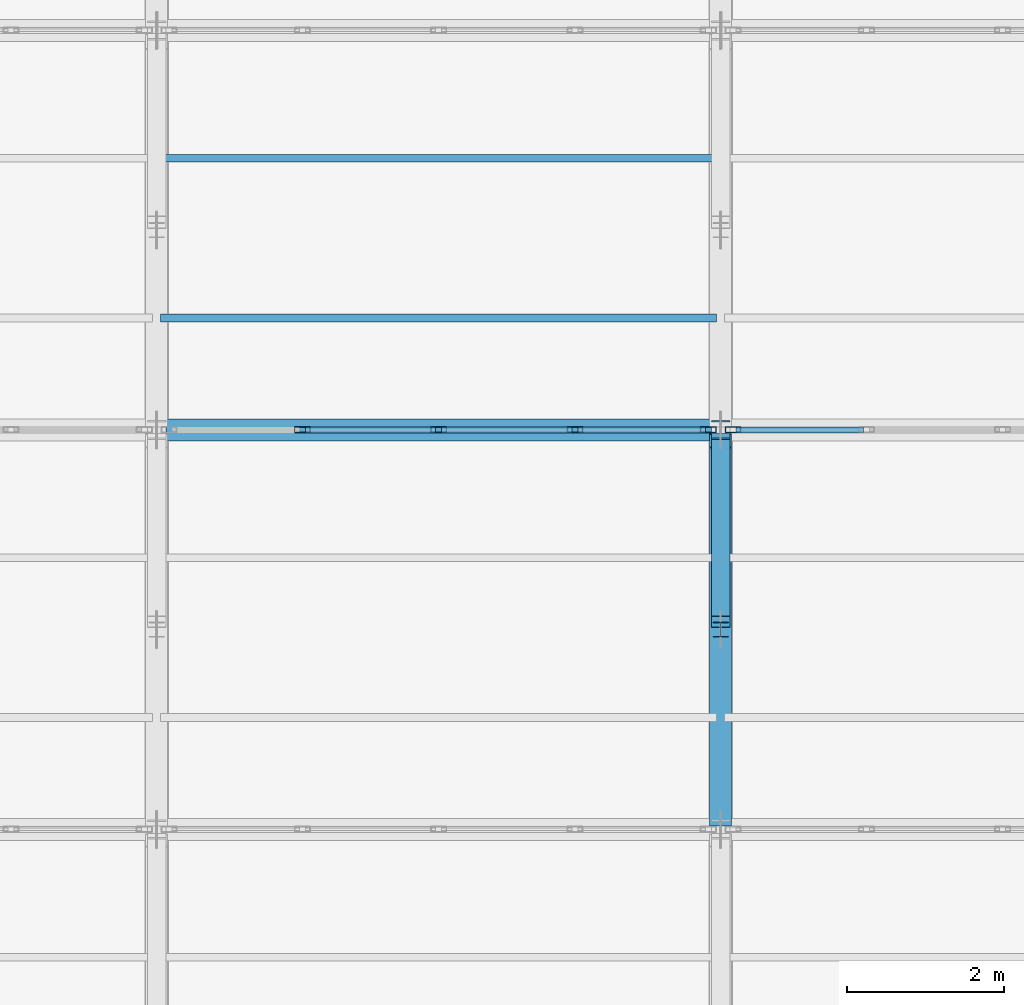
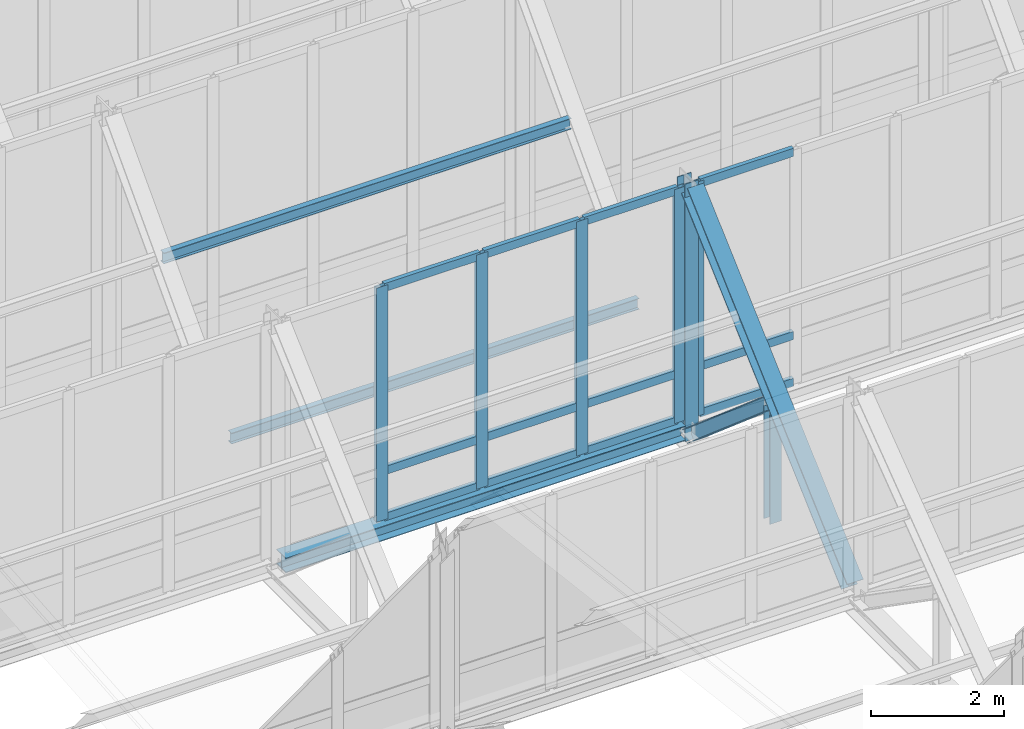
# One storey, part 59 of 157: 23 members, 1 beam, 2 elements without a shape of their own.
"""IFC4 building model written with IfcOpenShell, lengths in metres."""

from ifc_helpers import new_model, si_unit, direction, frame, origin, origin_2d, place, context, subcontext, project, spatial, hollow_rectangle, i_section, extrude, material, material_profile, profile_set, type_object, element, aggregate, save


model = new_model("IFC4")

# Units and contexts
model_context = context("Model", 3, precision=1e-05, world=origin(), true_north=direction((0.0, 1.0)))
body_context = subcontext(model_context, "Body", "Model", "MODEL_VIEW")
ifc_project = project(units=[si_unit("LENGTHUNIT", "METRE"), si_unit("AREAUNIT", "SQUARE_METRE"), si_unit("VOLUMEUNIT", "CUBIC_METRE"), si_unit("PLANEANGLEUNIT", "RADIAN"), si_unit("MASSUNIT", "GRAM", prefix="KILO")], contexts=[model_context])

# Site, building, storey
site_placement = place(None, origin())
site = spatial("IfcSite", under=ifc_project, at=site_placement, CompositionType="ELEMENT")
building_placement = place(site_placement, origin())
building = spatial("IfcBuilding", under=site, at=building_placement, Name="Suanplinth Sawtooth Commons", CompositionType="ELEMENT")
storey_placement = place(building_placement, frame((0.0, 0.0, 9.0)))
storey = spatial("IfcBuildingStorey", under=building, at=storey_placement, Name="L02", CompositionType="ELEMENT", Elevation=9.0)

# Beam
ifc_material_1 = material(Name="Steel S355JR", Category="steel")
ifc_material_profile_1 = material_profile(ifc_material_1, i_section(OverallWidth=0.280029296875, OverallDepth=0.27001953125, WebThickness=0.008056640625, FlangeThickness=0.012939453125, at=origin_2d()), Name="HEA 280")
ifc_profile_set_1 = profile_set([ifc_material_profile_1], Name="Steel S355JR")
beam_type = type_object("IfcBeamType", Name="B-16", PredefinedType="USERDEFINED", material=ifc_profile_set_1)
beam_placement = place(storey_placement, frame((93.719970703125, 65.699951171875, 2.820068359375), z_axis=(1.0, 0.0, 0.0), x_axis=(0.0, 1.0, 0.0)))
element("IfcBeam", 1, at=beam_placement, inside=storey, type_object=beam_type, Name="Sawtooth Valley Girder T4-B5", ObjectType="GIRDER", PredefinedType="USERDEFINED", context=body_context, shape_type="SweptSolid", body=[
    extrude(i_section(OverallWidth=0.280029296875, OverallDepth=0.27001953125, WebThickness=0.008056640625, FlangeThickness=0.012939453125, at=origin_2d()), origin(), (0.0, 0.0, 1.0), 6.9599609375),
])

# Members
ifc_material_profile_2 = material_profile(ifc_material_1, i_section(OverallWidth=0.280029296875, OverallDepth=0.280029296875, WebThickness=0.010498046875, FlangeThickness=0.01806640625, at=origin_2d()), Name="HEB 280")
ifc_profile_set_2 = profile_set([ifc_material_profile_2], Name="Steel S355JR")
member_type_1 = type_object("IfcMemberType", Name="M-02", PredefinedType="CHORD", material=ifc_profile_set_2)
member_1_placement = place(storey_placement, frame((100.800048828125, 60.739990234375, 2.919921875), z_axis=(0.0, 0.740839311711, 0.671682301556), x_axis=(-1.0, 0.0, 0.0)))
element("IfcMember", 2, at=member_1_placement, inside=storey, type_object=member_type_1, Name="Sawtooth Truss T6 Top Chord 3", PredefinedType="CHORD", context=body_context, shape_type="SweptSolid", body=[
    extrude(i_section(OverallWidth=0.280029296875, OverallDepth=0.280029296875, WebThickness=0.010498046875, FlangeThickness=0.01806640625, at=origin_2d()), origin(), (0.0, 0.0, 1.0), 6.50634765625),
])
ifc_material_profile_3 = material_profile(ifc_material_1, i_section(OverallWidth=0.239990234375, OverallDepth=0.22998046875, WebThickness=0.007568359375, FlangeThickness=0.011962890625, at=origin_2d()), Name="HEA 240")
ifc_profile_set_3 = profile_set([ifc_material_profile_3], Name="Steel S355JR")
member_type_2 = type_object("IfcMemberType", Name="M-03", PredefinedType="BRACE", material=ifc_profile_set_3)
member_2_placement = place(storey_placement, frame((100.800048828125, 63.25, 4.7451171875), z_axis=(0.0, 0.759593581641, -0.65039802485), x_axis=(-1.0, 0.0, 0.0)))
element("IfcMember", 3, at=member_2_placement, inside=storey, type_object=member_type_2, Name="Sawtooth Truss T6 Web Diagonal 3", PredefinedType="BRACE", context=body_context, shape_type="SweptSolid", body=[
    extrude(i_section(OverallWidth=0.239990234375, OverallDepth=0.22998046875, WebThickness=0.007568359375, FlangeThickness=0.011962890625, at=origin_2d()), origin(), (0.0, 0.0, 1.0), 3.067626953125),
])
ifc_material_profile_4 = material_profile(ifc_material_1, i_section(OverallWidth=0.199951171875, OverallDepth=0.18994140625, WebThickness=0.006591796875, FlangeThickness=0.010009765625, at=origin_2d()), Name="HEA 200")
ifc_profile_set_4 = profile_set([ifc_material_profile_4], Name="Steel S355JR")
member_type_3 = type_object("IfcMemberType", Name="M-04", PredefinedType="BRACE", material=ifc_profile_set_4)
member_3_placement = place(storey_placement, frame((100.800048828125, 63.14990234375, 2.64990234375), z_axis=(0.0, 0.0, 1.0), x_axis=(1.0, 0.0, 0.0)))
element("IfcMember", 4, at=member_3_placement, inside=storey, type_object=member_type_3, Name="Sawtooth Truss T6 Mid Web Post 3", PredefinedType="BRACE", context=body_context, shape_type="SweptSolid", body=[
    extrude(i_section(OverallWidth=0.199951171875, OverallDepth=0.18994140625, WebThickness=0.006591796875, FlangeThickness=0.010009765625, at=origin_2d()), origin(), (0.0, 0.0, 1.0), 2.0751953125),
])
ifc_material_profile_5 = material_profile(ifc_material_1, i_section(OverallWidth=0.239990234375, OverallDepth=0.239990234375, WebThickness=0.010009765625, FlangeThickness=0.01708984375, at=origin_2d()), Name="HEB 240")
ifc_profile_set_5 = profile_set([ifc_material_profile_5], Name="Steel S355JR")
member_type_4 = type_object("IfcMemberType", Name="M-05", PredefinedType="POST", material=ifc_profile_set_5)
member_4_placement = place(storey_placement, frame((100.800048828125, 65.699951171875, 2.64990234375), z_axis=(0.0, 0.0, 1.0), x_axis=(1.0, 0.0, 0.0)))
element("IfcMember", 5, at=member_4_placement, inside=storey, type_object=member_type_4, Name="Sawtooth Truss T6 Clerestory Post 3", PredefinedType="POST", context=body_context, shape_type="SweptSolid", body=[
    extrude(i_section(OverallWidth=0.239990234375, OverallDepth=0.239990234375, WebThickness=0.010009765625, FlangeThickness=0.01708984375, at=origin_2d()), origin(), (0.0, 0.0, 1.0), 4.739990234375),
])
ifc_material_2 = material(Name="Steel SS400", Category="steel")
ifc_material_profile_6 = material_profile(ifc_material_2, i_section(OverallWidth=0.10009765625, OverallDepth=0.199951171875, WebThickness=0.005615234375, FlangeThickness=0.008544921875, at=origin_2d()), Name="IPE 200")
ifc_profile_set_6 = profile_set([ifc_material_profile_6], Name="Steel SS400")
member_type_5 = type_object("IfcMemberType", Name="M-06", PredefinedType="PURLIN", material=ifc_profile_set_6)
for number, where, z_axis, x_axis, name in (
    (6, (93.64990234375, 67.1279296875, 4.2587890625), (1.0, 0.0, 0.0), (0.0, 1.0, 0.0), "Sawtooth Roof Purlin T4-B5-P1"),
    (7, (93.64990234375, 69.16796875, 6.3388671875), (1.0, 0.0, 0.0), (0.0, 1.0, 0.0), "Sawtooth Roof Purlin T4-B5-P2"),
):
    element("IfcMember", number, at=place(storey_placement, frame(where, z_axis=z_axis, x_axis=x_axis)), inside=storey, type_object=member_type_5, Name=name, PredefinedType="PURLIN", context=body_context, shape_type="SweptSolid", body=[
        extrude(i_section(OverallWidth=0.10009765625, OverallDepth=0.199951171875, WebThickness=0.005615234375, FlangeThickness=0.008544921875, at=origin_2d()), origin(), (0.0, 0.0, 1.0), 7.10009765625),
    ])

# Curtain wall, members
ifc_material_3 = material(Name="Anodized aluminium and low-E glazing", Category="aluminium")
curtain_wall_type = type_object("IfcCurtainWallType", Name="CW-03", PredefinedType="USERDEFINED", material=ifc_material_3)
curtain_wall_1_placement = place(storey_placement, origin())
curtain_wall_1 = element("IfcCurtainWall", 8, at=curtain_wall_1_placement, inside=storey, type_object=curtain_wall_type, Name="Curtain Wall CW-SAW-T3-B5", ObjectType="CURTAIN WALL", PredefinedType="USERDEFINED")
ifc_material_4 = material(Name="Anodized aluminium 6063-T6", Category="aluminium")
ifc_material_profile_7 = material_profile(ifc_material_4, hollow_rectangle(XDim=0.074951171875, YDim=0.199951171875, WallThickness=0.0048828125, at=origin_2d()), Name="ALU-MUL 75x200")
ifc_profile_set_7 = profile_set([ifc_material_profile_7], Name="Anodized aluminium 6063-T6")
member_type_6 = type_object("IfcMemberType", Name="M-14", PredefinedType="MULLION", material=ifc_profile_set_7)
member_5_placement = place(storey_placement, frame((95.4599609375, 65.699951171875, 2.97998046875), z_axis=(0.0, 0.0, 1.0), x_axis=(0.0, 1.0, 0.0)))
member_5 = element("IfcMember", 9, at=member_5_placement, type_object=member_type_6, Name="CW-03 mullion 2", PredefinedType="MULLION", context=body_context, shape_type="SweptSolid", body=[
    extrude(hollow_rectangle(XDim=0.074951171875, YDim=0.199951171875, WallThickness=0.0048828125, at=origin_2d()), origin(), (0.0, 0.0, 1.0), 4.31005859375),
])
member_6_placement = place(storey_placement, frame((97.199951171875, 65.699951171875, 2.97998046875), z_axis=(0.0, 0.0, 1.0), x_axis=(0.0, 1.0, 0.0)))
member_6 = element("IfcMember", 10, at=member_6_placement, type_object=member_type_6, Name="CW-03 mullion 3", PredefinedType="MULLION", context=body_context, shape_type="SweptSolid", body=[
    extrude(hollow_rectangle(XDim=0.074951171875, YDim=0.199951171875, WallThickness=0.0048828125, at=origin_2d()), origin(), (0.0, 0.0, 1.0), 4.31005859375),
])
member_7_placement = place(storey_placement, frame((98.93994140625, 65.699951171875, 2.97998046875), z_axis=(0.0, 0.0, 1.0), x_axis=(0.0, 1.0, 0.0)))
member_7 = element("IfcMember", 11, at=member_7_placement, type_object=member_type_6, Name="CW-03 mullion 4", PredefinedType="MULLION", context=body_context, shape_type="SweptSolid", body=[
    extrude(hollow_rectangle(XDim=0.074951171875, YDim=0.199951171875, WallThickness=0.0048828125, at=origin_2d()), origin(), (0.0, 0.0, 1.0), 4.31005859375),
])
member_8_placement = place(storey_placement, frame((100.642578125, 65.699951171875, 2.97998046875), z_axis=(0.0, 0.0, 1.0), x_axis=(0.0, 1.0, 0.0)))
member_8 = element("IfcMember", 12, at=member_8_placement, type_object=member_type_6, Name="CW-03 mullion 5", PredefinedType="MULLION", context=body_context, shape_type="SweptSolid", body=[
    extrude(hollow_rectangle(XDim=0.074951171875, YDim=0.199951171875, WallThickness=0.0048828125, at=origin_2d()), origin(), (0.0, 0.0, 1.0), 4.31005859375),
])

# Curtain wall, member
curtain_wall_2_placement = place(storey_placement, origin())
curtain_wall_2 = element("IfcCurtainWall", 13, at=curtain_wall_2_placement, inside=storey, type_object=curtain_wall_type, Name="Curtain Wall CW-SAW-T3-B6", ObjectType="CURTAIN WALL", PredefinedType="USERDEFINED")
member_9_placement = place(storey_placement, frame((100.95751953125, 65.699951171875, 2.97998046875), z_axis=(0.0, 0.0, 1.0), x_axis=(0.0, 1.0, 0.0)))
member_9 = element("IfcMember", 14, at=member_9_placement, type_object=member_type_6, Name="CW-03 mullion 1", PredefinedType="MULLION", context=body_context, shape_type="SweptSolid", body=[
    extrude(hollow_rectangle(XDim=0.074951171875, YDim=0.199951171875, WallThickness=0.0048828125, at=origin_2d()), origin(), (0.0, 0.0, 1.0), 4.31005859375),
])

# Member
ifc_material_profile_8 = material_profile(ifc_material_4, hollow_rectangle(XDim=0.074951171875, YDim=0.14990234375, WallThickness=0.00439453125, at=origin_2d()), Name="ALU-TRN 75x150")
ifc_profile_set_8 = profile_set([ifc_material_profile_8], Name="Anodized aluminium 6063-T6")
member_type_7 = type_object("IfcMemberType", Name="M-16", PredefinedType="USERDEFINED", material=ifc_profile_set_8)
member_10_placement = place(storey_placement, frame((95.49755859375, 65.699951171875, 3.017578125), z_axis=(1.0, 0.0, 0.0), x_axis=(0.0, 1.0, 0.0)))
member_10 = element("IfcMember", 15, at=member_10_placement, type_object=member_type_7, Name="CW-03 transom 2.1", ObjectType="TRANSOM", PredefinedType="USERDEFINED", context=body_context, shape_type="SweptSolid", body=[
    extrude(hollow_rectangle(XDim=0.074951171875, YDim=0.14990234375, WallThickness=0.00439453125, at=origin_2d()), origin(), (0.0, 0.0, 1.0), 1.6650390625),
])

member_11_placement = place(storey_placement, frame((95.49755859375, 65.699951171875, 3.8798828125), z_axis=(1.0, 0.0, 0.0), x_axis=(0.0, 1.0, 0.0)))
member_11 = element("IfcMember", 16, at=member_11_placement, type_object=member_type_7, Name="CW-03 transom 2.2", ObjectType="TRANSOM", PredefinedType="USERDEFINED", context=body_context, shape_type="SweptSolid", body=[
    extrude(hollow_rectangle(XDim=0.074951171875, YDim=0.14990234375, WallThickness=0.00439453125, at=origin_2d()), origin(), (0.0, 0.0, 1.0), 1.6650390625),
])

member_12_placement = place(storey_placement, frame((95.49755859375, 65.699951171875, 7.25244140625), z_axis=(1.0, 0.0, 0.0), x_axis=(0.0, 1.0, 0.0)))
member_12 = element("IfcMember", 17, at=member_12_placement, type_object=member_type_7, Name="CW-03 transom 2.3", ObjectType="TRANSOM", PredefinedType="USERDEFINED", context=body_context, shape_type="SweptSolid", body=[
    extrude(hollow_rectangle(XDim=0.074951171875, YDim=0.14990234375, WallThickness=0.00439453125, at=origin_2d()), origin(), (0.0, 0.0, 1.0), 1.6650390625),
])

member_13_placement = place(storey_placement, frame((97.237548828125, 65.699951171875, 3.017578125), z_axis=(1.0, 0.0, 0.0), x_axis=(0.0, 1.0, 0.0)))
member_13 = element("IfcMember", 18, at=member_13_placement, type_object=member_type_7, Name="CW-03 transom 3.1", ObjectType="TRANSOM", PredefinedType="USERDEFINED", context=body_context, shape_type="SweptSolid", body=[
    extrude(hollow_rectangle(XDim=0.074951171875, YDim=0.14990234375, WallThickness=0.00439453125, at=origin_2d()), origin(), (0.0, 0.0, 1.0), 1.6650390625),
])

member_14_placement = place(storey_placement, frame((97.237548828125, 65.699951171875, 3.8798828125), z_axis=(1.0, 0.0, 0.0), x_axis=(0.0, 1.0, 0.0)))
member_14 = element("IfcMember", 19, at=member_14_placement, type_object=member_type_7, Name="CW-03 transom 3.2", ObjectType="TRANSOM", PredefinedType="USERDEFINED", context=body_context, shape_type="SweptSolid", body=[
    extrude(hollow_rectangle(XDim=0.074951171875, YDim=0.14990234375, WallThickness=0.00439453125, at=origin_2d()), origin(), (0.0, 0.0, 1.0), 1.6650390625),
])

member_15_placement = place(storey_placement, frame((97.237548828125, 65.699951171875, 7.25244140625), z_axis=(1.0, 0.0, 0.0), x_axis=(0.0, 1.0, 0.0)))
member_15 = element("IfcMember", 20, at=member_15_placement, type_object=member_type_7, Name="CW-03 transom 3.3", ObjectType="TRANSOM", PredefinedType="USERDEFINED", context=body_context, shape_type="SweptSolid", body=[
    extrude(hollow_rectangle(XDim=0.074951171875, YDim=0.14990234375, WallThickness=0.00439453125, at=origin_2d()), origin(), (0.0, 0.0, 1.0), 1.6650390625),
])

member_16_placement = place(storey_placement, frame((98.9775390625, 65.699951171875, 3.017578125), z_axis=(1.0, 0.0, 0.0), x_axis=(0.0, 1.0, 0.0)))
member_16 = element("IfcMember", 21, at=member_16_placement, type_object=member_type_7, Name="CW-03 transom 4.1", ObjectType="TRANSOM", PredefinedType="USERDEFINED", context=body_context, shape_type="SweptSolid", body=[
    extrude(hollow_rectangle(XDim=0.074951171875, YDim=0.14990234375, WallThickness=0.00439453125, at=origin_2d()), origin(), (0.0, 0.0, 1.0), 1.62744140625),
])

member_17_placement = place(storey_placement, frame((98.9775390625, 65.699951171875, 3.8798828125), z_axis=(1.0, 0.0, 0.0), x_axis=(0.0, 1.0, 0.0)))
member_17 = element("IfcMember", 22, at=member_17_placement, type_object=member_type_7, Name="CW-03 transom 4.2", ObjectType="TRANSOM", PredefinedType="USERDEFINED", context=body_context, shape_type="SweptSolid", body=[
    extrude(hollow_rectangle(XDim=0.074951171875, YDim=0.14990234375, WallThickness=0.00439453125, at=origin_2d()), origin(), (0.0, 0.0, 1.0), 1.62744140625),
])

member_18_placement = place(storey_placement, frame((98.9775390625, 65.699951171875, 7.25244140625), z_axis=(1.0, 0.0, 0.0), x_axis=(0.0, 1.0, 0.0)))
member_18 = element("IfcMember", 23, at=member_18_placement, type_object=member_type_7, Name="CW-03 transom 4.3", ObjectType="TRANSOM", PredefinedType="USERDEFINED", context=body_context, shape_type="SweptSolid", body=[
    extrude(hollow_rectangle(XDim=0.074951171875, YDim=0.14990234375, WallThickness=0.00439453125, at=origin_2d()), origin(), (0.0, 0.0, 1.0), 1.62744140625),
])

aggregate(curtain_wall_1, [member_5, member_6, member_7, member_8, member_10, member_11, member_12, member_13, member_14, member_15, member_16, member_17, member_18])

member_19_placement = place(storey_placement, frame((100.9951171875, 65.699951171875, 3.017578125), z_axis=(1.0, 0.0, 0.0), x_axis=(0.0, 1.0, 0.0)))
member_19 = element("IfcMember", 24, at=member_19_placement, type_object=member_type_7, Name="CW-03 transom 1.1", ObjectType="TRANSOM", PredefinedType="USERDEFINED", context=body_context, shape_type="SweptSolid", body=[
    extrude(hollow_rectangle(XDim=0.074951171875, YDim=0.14990234375, WallThickness=0.00439453125, at=origin_2d()), origin(), (0.0, 0.0, 1.0), 1.62744140625),
])

member_20_placement = place(storey_placement, frame((100.9951171875, 65.699951171875, 3.8798828125), z_axis=(1.0, 0.0, 0.0), x_axis=(0.0, 1.0, 0.0)))
member_20 = element("IfcMember", 25, at=member_20_placement, type_object=member_type_7, Name="CW-03 transom 1.2", ObjectType="TRANSOM", PredefinedType="USERDEFINED", context=body_context, shape_type="SweptSolid", body=[
    extrude(hollow_rectangle(XDim=0.074951171875, YDim=0.14990234375, WallThickness=0.00439453125, at=origin_2d()), origin(), (0.0, 0.0, 1.0), 1.62744140625),
])

member_21_placement = place(storey_placement, frame((100.9951171875, 65.699951171875, 7.25244140625), z_axis=(1.0, 0.0, 0.0), x_axis=(0.0, 1.0, 0.0)))
member_21 = element("IfcMember", 26, at=member_21_placement, type_object=member_type_7, Name="CW-03 transom 1.3", ObjectType="TRANSOM", PredefinedType="USERDEFINED", context=body_context, shape_type="SweptSolid", body=[
    extrude(hollow_rectangle(XDim=0.074951171875, YDim=0.14990234375, WallThickness=0.00439453125, at=origin_2d()), origin(), (0.0, 0.0, 1.0), 1.62744140625),
])

aggregate(curtain_wall_2, [member_9, member_19, member_20, member_21])

save(model, "model.ifc")
